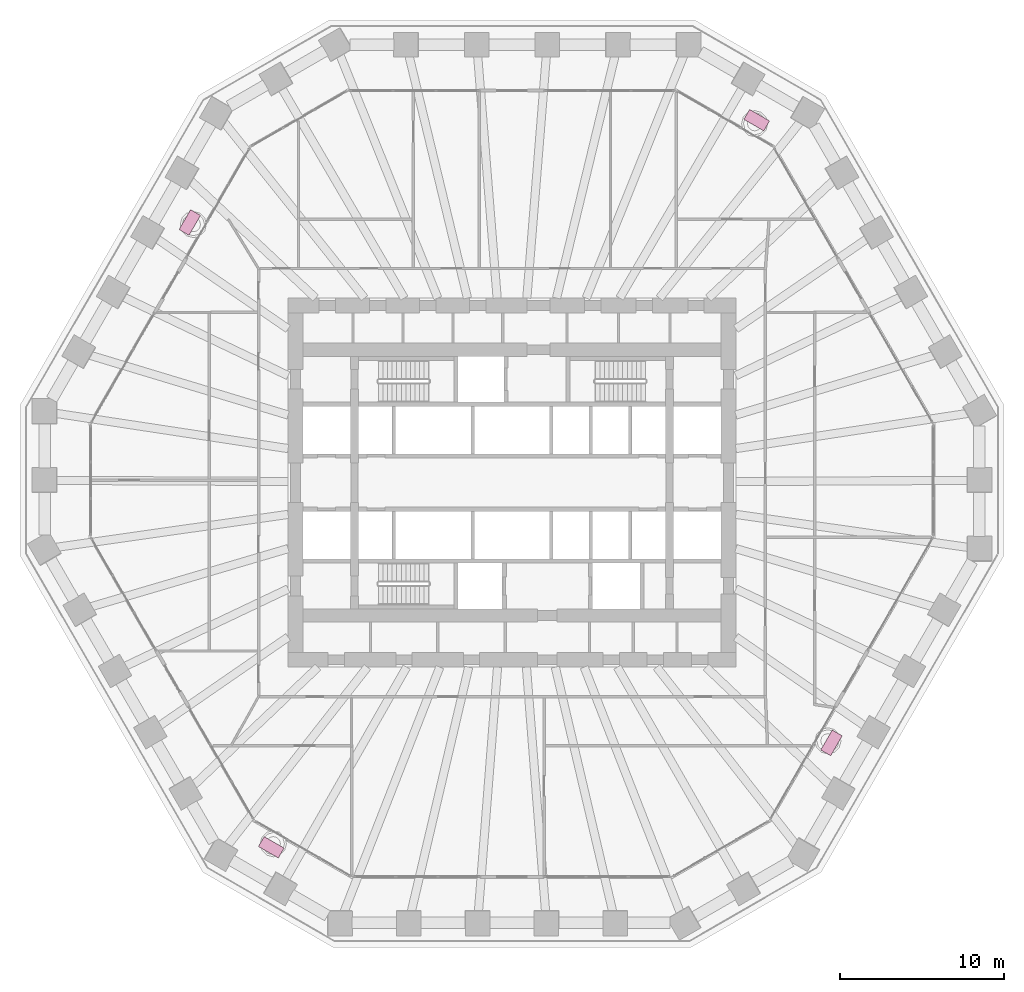
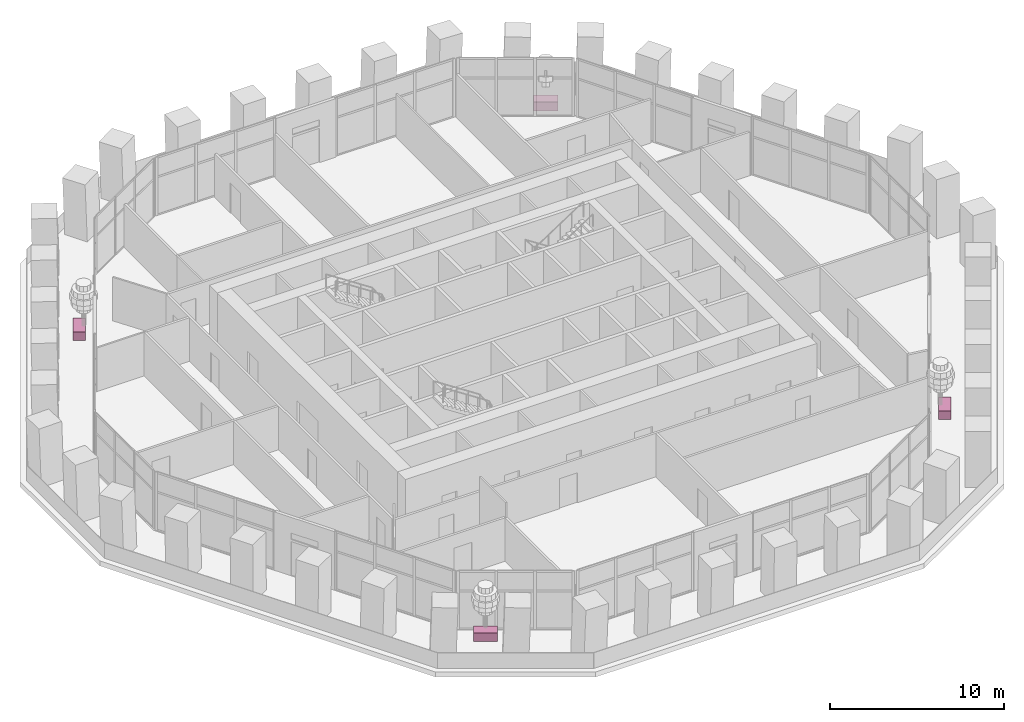
# One storey, part 17 of 18: 4 furniture elements.
"""IFC4 building model written with IfcOpenShell, lengths in metres."""

from ifc_helpers import new_model, si_unit, direction, frame, origin, origin_2d, place, context, subcontext, project, spatial, rectangle, extrude, material, type_object, element, save


model = new_model("IFC4")

# Units and contexts
model_context = context("Model", 3, precision=1e-05, world=origin(), true_north=direction((0.0, 1.0)))
body_context = subcontext(model_context, "Body", "Model", "MODEL_VIEW")
ifc_project = project(units=[si_unit("LENGTHUNIT", "METRE"), si_unit("AREAUNIT", "SQUARE_METRE"), si_unit("VOLUMEUNIT", "CUBIC_METRE"), si_unit("PLANEANGLEUNIT", "RADIAN"), si_unit("MASSUNIT", "GRAM", prefix="KILO")], contexts=[model_context])

# Site, building, storey
site_placement = place(None, origin())
site = spatial("IfcSite", under=ifc_project, at=site_placement, CompositionType="ELEMENT")
building_placement = place(site_placement, origin())
building = spatial("IfcBuilding", under=site, at=building_placement, Name="Frailejon Research Tower", CompositionType="ELEMENT")
storey_placement = place(building_placement, frame((0.0, 0.0, 19.0)))
storey = spatial("IfcBuildingStorey", under=building, at=storey_placement, Name="L04", CompositionType="ELEMENT", Elevation=19.0)

# Furniture
ifc_material = material(Name="Precast concrete C30/37 planter, terracotta", Category="masonry")
furniture_type = type_object("IfcFurnitureType", Name="Loggia planter 1400x700", AssemblyPlace="NOTDEFINED", PredefinedType="USERDEFINED", material=ifc_material)
for number, where, z_axis, x_axis, name in (
    (1, (14.916015625, 22.0947265625, 0.0), (0.0, 0.0, 1.0), (-0.866025403784, 0.5, 0.0), "Planter L04"),
    (2, (-19.641845703125, 15.855712890625, 0.0), (0.0, 0.0, 1.0), (-0.5, -0.866025403784, 0.0), "Planter L04"),
    (3, (-14.676513671875, -22.23291015625, 0.0), (0.0, 0.0, 1.0), (0.866025403784, -0.5, 0.0), "Planter L04"),
    (4, (19.47412109375, -15.86962890625, 0.0), (0.0, 0.0, 1.0), (0.5, 0.866025403784, 0.0), "Planter L04"),
):
    element("IfcFurniture", number, at=place(storey_placement, frame(where, z_axis=z_axis, x_axis=x_axis)), inside=storey, type_object=furniture_type, Name=name, ObjectType="PLANTER", PredefinedType="USERDEFINED", context=body_context, shape_type="SweptSolid", body=[
        extrude(rectangle(XDim=1.39990234375, YDim=0.699951171875, at=origin_2d()), origin(), (0.0, 0.0, 1.0), 0.60009765625),
    ])

save(model, "model.ifc")
